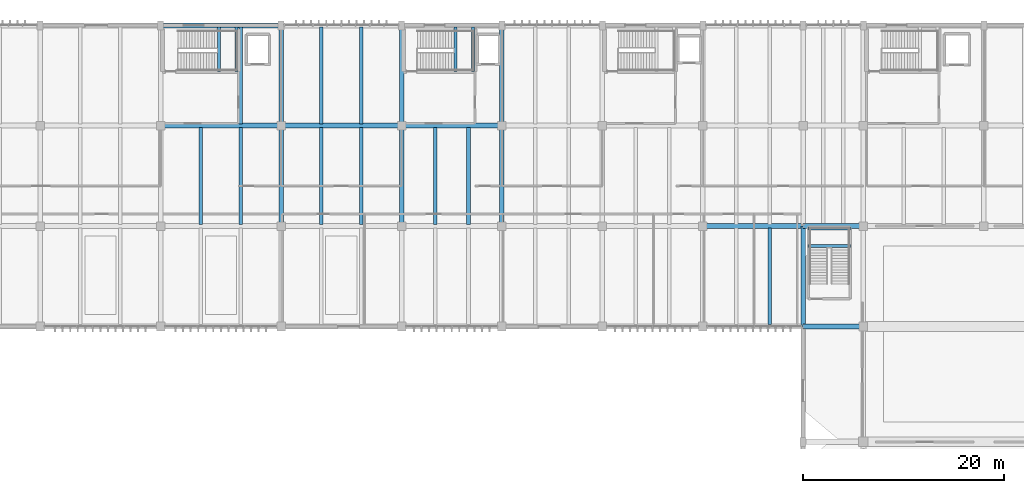
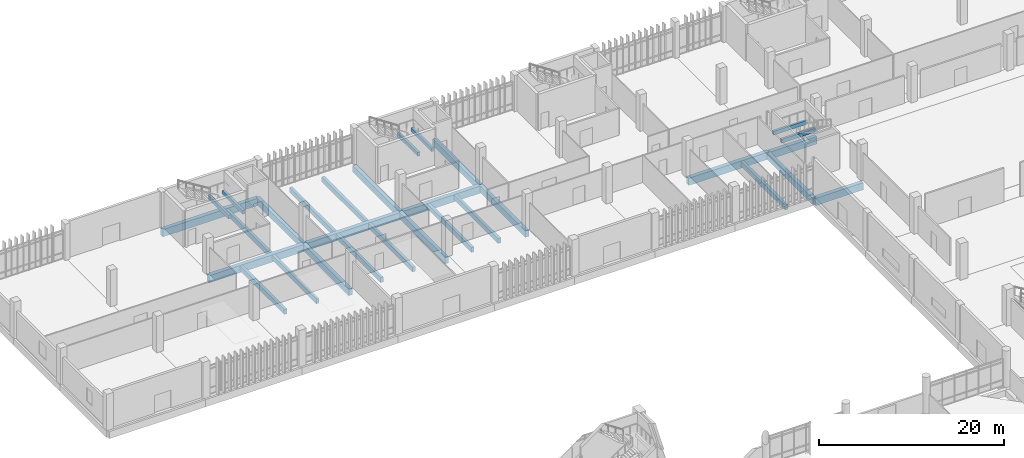
# One storey, part 48 of 87: 30 beams.
"""IFC4 building model written with IfcOpenShell, lengths in metres."""

import ifcopenshell
import ifcopenshell.guid

model = None  # the IFC model being written
_history = None  # IfcOwnerHistory: only IFC2X3 demands one
_inside = {}  # id of a spatial element -> (the spatial element, [elements in it])
_under = {}  # id of a project, library or spatial element -> (it, [spatial elements below it])
_declared = {}  # id of a project -> (the project, [libraries it declares])
_typed = {}  # id of a type object -> (the type object, [elements of that type])
_made_of = {}  # id of a material, layer set ... -> (it, [elements and type objects made of it])


def new_model(schema):
    """Start an empty IFC model of exactly this schema.

    Asked for "IFC4X3", IfcOpenShell would pick the latest addendum, in which some entities
    have other attributes; the version numbers below select the first issue.
    IFC2X3 requires an IfcOwnerHistory on every rooted entity: one is made here for all.
    """
    global model, _history
    if schema == "IFC4X3":
        model = ifcopenshell.file(schema_version=(4, 3, 0, 0))
    else:
        model = ifcopenshell.file(schema=schema)
    _inside.clear()
    _under.clear()
    _declared.clear()
    _typed.clear()
    _made_of.clear()
    _history = None
    if model.schema == "IFC2X3":
        org = make("IfcOrganization", Name="unknown")
        user = make(
            "IfcPersonAndOrganization",
            ThePerson=make("IfcPerson", FamilyName="unknown"),
            TheOrganization=org,
        )
        app = make(
            "IfcApplication",
            ApplicationDeveloper=org,
            Version="unknown",
            ApplicationFullName="unknown",
            ApplicationIdentifier="unknown",
        )
        _history = make(
            "IfcOwnerHistory",
            OwningUser=user,
            OwningApplication=app,
            ChangeAction="ADDED",
            CreationDate=0,
        )
    return model


def make(cls, **values):
    """One entity of the class cls with the attributes given. An attribute that is None is left unset."""
    return model.create_entity(
        cls, **{name: value for name, value in values.items() if value is not None}
    )


def rooted(cls, **values):
    """An entity with a GlobalId (a new one), such as an element, a storey or a relation."""
    return make(cls, GlobalId=ifcopenshell.guid.new(), OwnerHistory=_history, **values)


def si_unit(unit_type, name, prefix=None):
    """IfcSIUnit, for example si_unit("LENGTHUNIT", "METRE", prefix="MILLI")."""
    return make("IfcSIUnit", UnitType=unit_type, Prefix=prefix, Name=name)


def assignment(units):
    """IfcUnitAssignment: the units of a project."""
    return None if units is None else make("IfcUnitAssignment", Units=units)


def point(xyz):
    """IfcCartesianPoint."""
    return None if xyz is None else make("IfcCartesianPoint", Coordinates=xyz)


def direction(xyz):
    """IfcDirection."""
    return None if xyz is None else make("IfcDirection", DirectionRatios=xyz)


def frame(location, z_axis=None, x_axis=None):
    """IfcAxis2Placement3D, a coordinate frame: its origin and axes. An axis left out is left unset."""
    return make(
        "IfcAxis2Placement3D",
        Location=point(location),
        Axis=direction(z_axis),
        RefDirection=direction(x_axis),
    )


def frame_2d(location, x_axis=None):
    """IfcAxis2Placement2D, a coordinate frame in the plane: its origin and x axis."""
    return make(
        "IfcAxis2Placement2D", Location=point(location), RefDirection=direction(x_axis)
    )


def origin():
    """The frame at (0, 0, 0) with its axes left unset."""
    return frame((0.0, 0.0, 0.0))


def origin_2d():
    """The frame at (0, 0) in the plane with its x axis left unset."""
    return frame_2d((0.0, 0.0))


def place(relative_to, where):
    """IfcLocalPlacement: puts the frame where relative to a parent placement (None: the world)."""
    return make(
        "IfcLocalPlacement", PlacementRelTo=relative_to, RelativePlacement=where
    )


def context(
    kind, dimensions, precision=None, world=None, true_north=None, identifier=None
):
    """IfcGeometricRepresentationContext, for example the 3D "Model" context."""
    return make(
        "IfcGeometricRepresentationContext",
        ContextIdentifier=identifier,
        ContextType=kind,
        CoordinateSpaceDimension=dimensions,
        Precision=precision,
        WorldCoordinateSystem=world,
        TrueNorth=true_north,
    )


def subcontext(parent, identifier, kind, view, scale=None):
    """IfcGeometricRepresentationSubContext, for example "Body" below "Model"."""
    return make(
        "IfcGeometricRepresentationSubContext",
        ContextIdentifier=identifier,
        ContextType=kind,
        ParentContext=parent,
        TargetScale=scale,
        TargetView=view,
    )


def project(units=None, contexts=None):
    """IfcProject with its units and contexts."""
    return rooted(
        "IfcProject",
        Name="project",
        RepresentationContexts=contexts,
        UnitsInContext=assignment(units),
    )


def spatial(cls, under=None, at=None, **own):
    """A site, building, storey or space (cls), placed at a placement, below another one or the project."""
    s = rooted(cls, ObjectPlacement=at, **own)
    if under is not None:
        _under.setdefault(under.id(), (under, []))[1].append(s)
    return s


def profile(cls, at=None, kind="AREA", **sizes):
    """A parametric profile (cls). Its sizes go by their IFC names, for example OverallWidth=200.0."""
    return make(cls, ProfileType=kind, Position=at, **sizes)


def rectangle(**sizes):
    """IfcRectangleProfileDef."""
    return profile("IfcRectangleProfileDef", **sizes)


def extrude(swept, where, along, depth):
    """IfcExtrudedAreaSolid: the profile swept, set in the frame where, extruded along a direction by depth."""
    return make(
        "IfcExtrudedAreaSolid",
        SweptArea=swept,
        Position=where,
        ExtrudedDirection=direction(along),
        Depth=depth,
    )


def shape(context_of_items, identifier, shape_type, items):
    """IfcShapeRepresentation: the items that make up one representation, for example the "Body"."""
    return make(
        "IfcShapeRepresentation",
        ContextOfItems=context_of_items,
        RepresentationIdentifier=identifier,
        RepresentationType=shape_type,
        Items=items,
    )


def material(Name=None, Category=None):
    """IfcMaterial."""
    return make("IfcMaterial", Name=Name, Category=Category)


def material_profile(
    of_material, cross_section, Name=None, Category=None, Priority=None
):
    """IfcMaterialProfile: a cross section and its material."""
    return make(
        "IfcMaterialProfile",
        Name=Name,
        Material=of_material,
        Profile=cross_section,
        Priority=Priority,
        Category=Category,
    )


def profile_set(profiles, Name=None, composite=None):
    """IfcMaterialProfileSet."""
    return make(
        "IfcMaterialProfileSet",
        Name=Name,
        MaterialProfiles=profiles,
        CompositeProfile=composite,
    )


def made_of(thing, what):
    """Note that an element or type object is made of a material, layer set ...; save() writes the relation."""
    if what is not None:
        _made_of.setdefault(what.id(), (what, []))[1].append(thing)
    return thing


def type_object(cls, material=None, **own):
    """A type object (cls), such as IfcWallType, which elements share."""
    return made_of(rooted(cls, **own), material)


def element(
    cls,
    number,
    at=None,
    inside=None,
    cuts=None,
    type_object=None,
    material=None,
    context=None,
    identifier="Body",
    shape_type=None,
    held_by="IfcProductDefinitionShape",
    body=None,
    shapes=None,
    **own,
):
    """One element of the class cls, such as IfcWall. Its Tag is "e" and its number.

    at: its placement. inside: the storey or other place that contains it. cuts: it is an
    opening in that element (IfcRelVoidsElement). A single representation is given by context,
    identifier, shape_type and body (its items); several are given by shapes. held_by: the class
    of the entity that holds the representations. save() writes the other relations.
    """
    e = rooted(cls, Tag="e%d" % number, ObjectPlacement=at, **own)
    if body is not None:
        shapes = [shape(context, identifier, shape_type, body)]
    if shapes is not None:
        e.Representation = make(held_by, Representations=shapes)
    if inside is not None:
        _inside.setdefault(inside.id(), (inside, []))[1].append(e)
    if cuts is not None:
        rooted(
            "IfcRelVoidsElement", RelatingBuildingElement=cuts, RelatedOpeningElement=e
        )
    if type_object is not None:
        _typed.setdefault(type_object.id(), (type_object, []))[1].append(e)
    return made_of(e, material)


def aggregate(whole, parts):
    """IfcRelAggregates: a whole, such as a stair, and the parts it consists of."""
    return rooted("IfcRelAggregates", RelatingObject=whole, RelatedObjects=parts)


def save(model, path):
    """Write the relations noted so far, then the file.

    IfcRelAggregates (storeys below a building ...), IfcRelContainedInSpatialStructure (elements
    in a storey), IfcRelDefinesByType, IfcRelAssociatesMaterial and IfcRelDeclares: one each for
    every whole, place, type object, material and project.
    """
    for whole, parts in _under.values():
        aggregate(whole, parts)
    for where, things in _inside.values():
        rooted(
            "IfcRelContainedInSpatialStructure",
            RelatedElements=things,
            RelatingStructure=where,
        )
    for kind, things in _typed.values():
        rooted("IfcRelDefinesByType", RelatedObjects=things, RelatingType=kind)
    for what, things in _made_of.values():
        rooted("IfcRelAssociatesMaterial", RelatedObjects=things, RelatingMaterial=what)
    for by, libraries in _declared.values():
        rooted("IfcRelDeclares", RelatingContext=by, RelatedDefinitions=libraries)
    model.write(path)


model = new_model("IFC4")

# Units and contexts
model_context = context("Model", 3, precision=1e-05, world=origin(), true_north=direction((0.0, 1.0)))
body_context = subcontext(model_context, "Body", "Model", "MODEL_VIEW")
ifc_project = project(units=[si_unit("LENGTHUNIT", "METRE"), si_unit("AREAUNIT", "SQUARE_METRE"), si_unit("VOLUMEUNIT", "CUBIC_METRE"), si_unit("PLANEANGLEUNIT", "RADIAN"), si_unit("MASSUNIT", "GRAM", prefix="KILO")], contexts=[model_context])

# Site, building, storey
site_placement = place(None, origin())
site = spatial("IfcSite", under=ifc_project, at=site_placement, CompositionType="ELEMENT")
building_placement = place(site_placement, origin())
building = spatial("IfcBuilding", under=site, at=building_placement, Name="Mersad Railyard Sports Hall", CompositionType="ELEMENT")
storey_placement = place(building_placement, origin())
storey = spatial("IfcBuildingStorey", under=building, at=storey_placement, Name="L00", CompositionType="ELEMENT", Elevation=0.0)

# Beams
ifc_material_1 = material(Name="Concrete C40/50", Category="concrete")
ifc_material_profile_1 = material_profile(ifc_material_1, rectangle(XDim=0.449951171875, YDim=0.85009765625, at=origin_2d()), Name="RC 450x850")
ifc_profile_set_1 = profile_set([ifc_material_profile_1], Name="Concrete C40/50")
beam_type_1 = type_object("IfcBeamType", Name="STR-BM-B02", PredefinedType="BEAM", material=ifc_profile_set_1)
for number, where, z_axis, x_axis, name in (
    (1, (131.0, 85.0, -0.875), (0.0, 1.0, 0.0), (-1.0, 0.0, 0.0), "Beam B02-0135"),
    (2, (79.0, 95.0, -0.77490234375), (0.0, 1.0, 0.0), (-1.0, 0.0, 0.0), "Beam B02-0184"),
    (3, (79.0, 105.0, -0.77490234375), (0.0, 1.0, 0.0), (-1.0, 0.0, 0.0), "Beam B02-0185"),
    (4, (91.0, 95.0, -0.77490234375), (0.0, 1.0, 0.0), (-1.0, 0.0, 0.0), "Beam B02-0187"),
    (5, (91.0, 105.0, -0.77490234375), (0.0, 1.0, 0.0), (-1.0, 0.0, 0.0), "Beam B02-0188"),
    (6, (101.0, 95.0, -0.77490234375), (0.0, 1.0, 0.0), (-1.0, 0.0, 0.0), "Beam B02-0190"),
    (7, (101.0, 105.0, -0.77490234375), (0.0, 1.0, 0.0), (-1.0, 0.0, 0.0), "Beam B02-0191"),
):
    element("IfcBeam", number, at=place(storey_placement, frame(where, z_axis=z_axis, x_axis=x_axis)), inside=storey, type_object=beam_type_1, Name=name, PredefinedType="BEAM", context=body_context, shape_type="SweptSolid", body=[
        extrude(rectangle(XDim=0.449951171875, YDim=0.85009765625, at=origin_2d()), origin(), (0.0, 0.0, 1.0), 10.0),
    ])
ifc_material_2 = material(Name="Concrete C50/60", Category="concrete")
ifc_material_profile_2 = material_profile(ifc_material_2, rectangle(XDim=0.5, YDim=0.949951171875, at=origin_2d()), Name="RC 500x950")
ifc_profile_set_2 = profile_set([ifc_material_profile_2], Name="Concrete C50/60")
beam_type_2 = type_object("IfcBeamType", Name="STR-BM-B03", PredefinedType="BEAM", material=ifc_profile_set_2)
for number, where, z_axis, x_axis, name in (
    (8, (131.0, 85.0, -0.925048828125), (1.0, 0.0, 0.0), (0.0, 1.0, 0.0), "Beam B03-0129"),
    (9, (131.0, 95.0, -0.925048828125), (1.0, 0.0, 0.0), (0.0, 1.0, 0.0), "Beam B03-0132"),
):
    element("IfcBeam", number, at=place(storey_placement, frame(where, z_axis=z_axis, x_axis=x_axis)), inside=storey, type_object=beam_type_2, Name=name, PredefinedType="BEAM", context=body_context, shape_type="SweptSolid", body=[
        extrude(rectangle(XDim=0.5, YDim=0.949951171875, at=origin_2d()), origin(), (0.0, 0.0, 1.0), 6.0),
    ])
beam_1_placement = place(storey_placement, frame((121.0, 95.0, -0.824951171875), z_axis=(1.0, 0.0, 0.0), x_axis=(0.0, 1.0, 0.0)))
element("IfcBeam", 10, at=beam_1_placement, inside=storey, type_object=beam_type_2, Name="Beam B03-0157", PredefinedType="BEAM", context=body_context, shape_type="SweptSolid", body=[
    extrude(rectangle(XDim=0.5, YDim=0.949951171875, at=origin_2d()), origin(), (0.0, 0.0, 1.0), 10.0),
])
for number, where, z_axis, x_axis, name in (
    (11, (67.0, 105.0, -0.824951171875), (1.0, 0.0, 0.0), (0.0, 1.0, 0.0), "Beam B03-0160"),
    (12, (79.0, 105.0, -0.824951171875), (1.0, 0.0, 0.0), (0.0, 1.0, 0.0), "Beam B03-0161"),
):
    element("IfcBeam", number, at=place(storey_placement, frame(where, z_axis=z_axis, x_axis=x_axis)), inside=storey, type_object=beam_type_2, Name=name, PredefinedType="BEAM", context=body_context, shape_type="SweptSolid", body=[
        extrude(rectangle(XDim=0.5, YDim=0.949951171875, at=origin_2d()), origin(), (0.0, 0.0, 1.0), 12.0),
    ])
beam_2_placement = place(storey_placement, frame((91.0, 105.0, -0.824951171875), z_axis=(1.0, 0.0, 0.0), x_axis=(0.0, 1.0, 0.0)))
element("IfcBeam", 13, at=beam_2_placement, inside=storey, type_object=beam_type_2, Name="Beam B03-0162", PredefinedType="BEAM", context=body_context, shape_type="SweptSolid", body=[
    extrude(rectangle(XDim=0.5, YDim=0.949951171875, at=origin_2d()), origin(), (0.0, 0.0, 1.0), 10.0),
])
beam_3_placement = place(storey_placement, frame((67.0, 115.0, -0.824951171875), z_axis=(1.0, 0.0, 0.0), x_axis=(0.0, 1.0, 0.0)))
element("IfcBeam", 14, at=beam_3_placement, inside=storey, type_object=beam_type_2, Name="Beam B03-0168", PredefinedType="BEAM", context=body_context, shape_type="SweptSolid", body=[
    extrude(rectangle(XDim=0.5, YDim=0.949951171875, at=origin_2d()), origin(), (0.0, 0.0, 1.0), 12.0),
])
ifc_material_profile_3 = material_profile(ifc_material_1, rectangle(XDim=0.35009765625, YDim=0.64990234375, at=origin_2d()), Name="RC 350x650")
ifc_profile_set_3 = profile_set([ifc_material_profile_3], Name="Concrete C40/50")
beam_type_3 = type_object("IfcBeamType", Name="STR-BM-J01", PredefinedType="JOIST", material=ifc_profile_set_3)
for number, where, z_axis, x_axis, name in (
    (15, (71.0, 95.179931640625, -0.675048828125), (0.0, 1.0, 0.0), (-1.0, 0.0, 0.0), "Beam J01-0237"),
    (16, (75.0, 95.179931640625, -0.675048828125), (0.0, 1.0, 0.0), (-1.0, 0.0, 0.0), "Beam J01-0238"),
    (17, (75.0, 105.179931640625, -0.675048828125), (0.0, 1.0, 0.0), (-1.0, 0.0, 0.0), "Beam J01-0239"),
    (18, (83.0, 95.179931640625, -0.675048828125), (0.0, 1.0, 0.0), (-1.0, 0.0, 0.0), "Beam J01-0242"),
    (19, (87.0, 95.179931640625, -0.675048828125), (0.0, 1.0, 0.0), (-1.0, 0.0, 0.0), "Beam J01-0243"),
    (20, (83.0, 105.179931640625, -0.675048828125), (0.0, 1.0, 0.0), (-1.0, 0.0, 0.0), "Beam J01-0244"),
    (21, (87.0, 105.179931640625, -0.675048828125), (0.0, 1.0, 0.0), (-1.0, 0.0, 0.0), "Beam J01-0245"),
    (22, (94.3330078125, 95.179931640625, -0.675048828125), (0.0, 1.0, 0.0), (-1.0, 0.0, 0.0), "Beam J01-0248"),
    (23, (97.6669921875, 95.179931640625, -0.675048828125), (0.0, 1.0, 0.0), (-1.0, 0.0, 0.0), "Beam J01-0249"),
    (24, (127.6669921875, 85.179931640625, -0.675048828125), (0.0, 1.0, 0.0), (-1.0, 0.0, 0.0), "Beam J01-0261"),
):
    element("IfcBeam", number, at=place(storey_placement, frame(where, z_axis=z_axis, x_axis=x_axis)), inside=storey, type_object=beam_type_3, Name=name, PredefinedType="JOIST", context=body_context, shape_type="SweptSolid", body=[
        extrude(rectangle(XDim=0.35009765625, YDim=0.64990234375, at=origin_2d()), origin(), (0.0, 0.0, 1.0), 9.64013671875),
    ])
ifc_material_profile_4 = material_profile(ifc_material_1, rectangle(XDim=0.300048828125, YDim=0.5, at=origin_2d()), Name="RC 300x500")
ifc_profile_set_4 = profile_set([ifc_material_profile_4], Name="Concrete C40/50")
beam_type_4 = type_object("IfcBeamType", Name="STR-BM-LN01", PredefinedType="LINTEL", material=ifc_profile_set_4)
for number, where, z_axis, x_axis, name in (
    (25, (72.81005859375, 110.3798828125, 1.969970703125), (0.0, 1.0, 0.0), (-1.0, 0.0, 0.0), "Stair ST01B landing beam W"),
    (26, (74.570068359375, 110.3798828125, 1.969970703125), (0.0, 1.0, 0.0), (-1.0, 0.0, 0.0), "Stair ST01B landing beam E"),
    (27, (96.3798828125, 110.3798828125, 1.969970703125), (0.0, 1.0, 0.0), (-1.0, 0.0, 0.0), "Stair ST02B landing beam W"),
    (28, (98.1201171875, 110.3798828125, 1.969970703125), (0.0, 1.0, 0.0), (-1.0, 0.0, 0.0), "Stair ST02B landing beam E"),
):
    element("IfcBeam", number, at=place(storey_placement, frame(where, z_axis=z_axis, x_axis=x_axis)), inside=storey, type_object=beam_type_4, Name=name, PredefinedType="LINTEL", context=body_context, shape_type="SweptSolid", body=[
        extrude(rectangle(XDim=0.300048828125, YDim=0.5, at=origin_2d()), origin(), (0.0, 0.0, 1.0), 4.43017578125),
    ])
for number, where, z_axis, x_axis, name in (
    (29, (131.47998046875, 93.030029296875, 1.969970703125), (1.0, 0.0, 0.0), (0.0, 1.0, 0.0), "Stair ST11A landing beam S"),
    (30, (131.47998046875, 94.77001953125, 1.969970703125), (1.0, 0.0, 0.0), (0.0, 1.0, 0.0), "Stair ST11A landing beam N"),
):
    element("IfcBeam", number, at=place(storey_placement, frame(where, z_axis=z_axis, x_axis=x_axis)), inside=storey, type_object=beam_type_4, Name=name, PredefinedType="LINTEL", context=body_context, shape_type="SweptSolid", body=[
        extrude(rectangle(XDim=0.300048828125, YDim=0.5, at=origin_2d()), origin(), (0.0, 0.0, 1.0), 4.239990234375),
    ])

save(model, "model.ifc")
